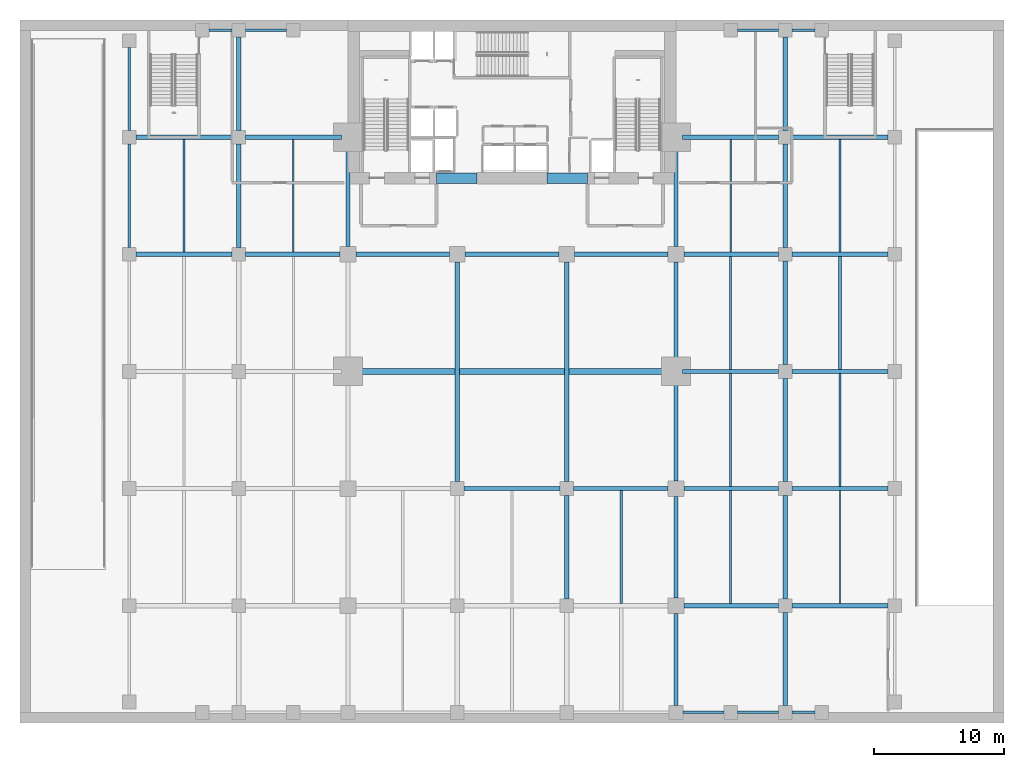
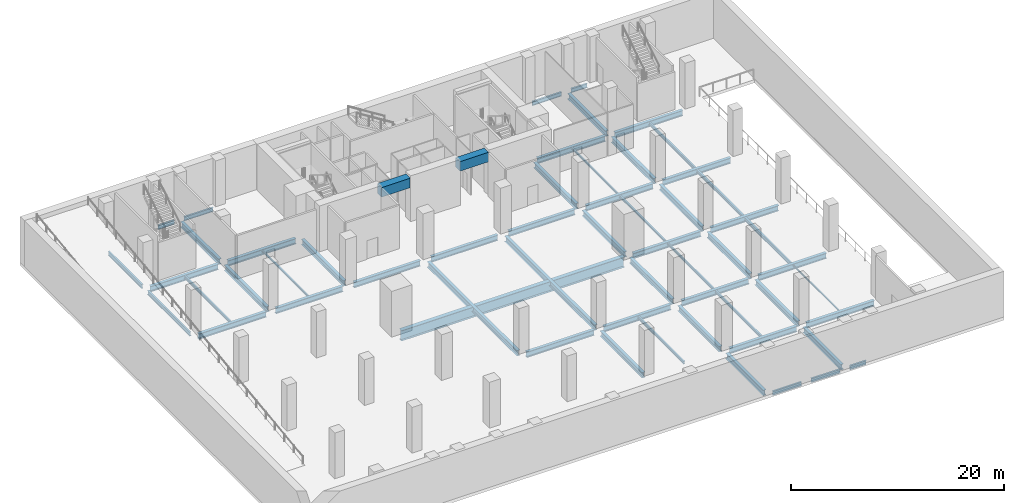
# One storey, part 2 of 10: 59 beams.
"""IFC4 building model written with IfcOpenShell, lengths in metres."""

from ifc_helpers import new_model, si_unit, direction, frame, origin, origin_2d, place, context, subcontext, project, spatial, rectangle, i_section, extrude, material, material_profile, profile_set, type_object, element, save


model = new_model("IFC4")

# Units and contexts
model_context = context("Model", 3, precision=1e-05, world=origin(), true_north=direction((0.0, 1.0)))
body_context = subcontext(model_context, "Body", "Model", "MODEL_VIEW")
ifc_project = project(units=[si_unit("LENGTHUNIT", "METRE"), si_unit("AREAUNIT", "SQUARE_METRE"), si_unit("VOLUMEUNIT", "CUBIC_METRE"), si_unit("PLANEANGLEUNIT", "RADIAN"), si_unit("MASSUNIT", "GRAM", prefix="KILO")], contexts=[model_context])

# Site, building, storey
site_placement = place(None, origin())
site = spatial("IfcSite", under=ifc_project, at=site_placement, CompositionType="ELEMENT")
building_placement = place(site_placement, origin())
building = spatial("IfcBuilding", under=site, at=building_placement, Name="Maruvema Waterfront Hotel and Observation Tower", CompositionType="ELEMENT")
storey_placement = place(building_placement, frame((0.0, 0.0, -5.25)))
storey = spatial("IfcBuildingStorey", under=building, at=storey_placement, Name="B01", CompositionType="ELEMENT", Elevation=-5.25)

# Beams
ifc_material_1 = material(Name="Concrete C60/75", Category="concrete")
ifc_material_profile_1 = material_profile(ifc_material_1, rectangle(XDim=0.800048828125, YDim=1.10009765625, at=origin_2d()), Name="CB800x1100")
ifc_profile_set_1 = profile_set([ifc_material_profile_1], Name="Concrete C60/75")
beam_type_1 = type_object("IfcBeamType", Name="Core Coupling Lintel Beam CB800x1100", PredefinedType="LINTEL", material=ifc_profile_set_1)
for number, where, z_axis, x_axis, name in (
    (1, (32.0, 41.85009765625, 4.419921875), (1.0, 0.0, 0.0), (0.0, 1.0, 0.0), "B01 Core Coupling Lintel Beam West"),
    (2, (40.5, 41.85009765625, 4.419921875), (1.0, 0.0, 0.0), (0.0, 1.0, 0.0), "B01 Core Coupling Lintel Beam East"),
):
    element("IfcBeam", number, at=place(storey_placement, frame(where, z_axis=z_axis, x_axis=x_axis)), inside=storey, type_object=beam_type_1, Name=name, PredefinedType="LINTEL", context=body_context, shape_type="SweptSolid", body=[
        extrude(rectangle(XDim=0.800048828125, YDim=1.10009765625, at=origin_2d()), origin(), (0.0, 0.0, 1.0), 3.10009765625),
    ])
ifc_material_2 = material(Name="Steel ASTM A572 Grade 50", Category="steel")
ifc_material_profile_2 = material_profile(ifc_material_2, i_section(OverallWidth=0.18994140625, OverallDepth=0.45703125, WebThickness=0.009033203125, FlangeThickness=0.014404296875, FilletRadius=0.014892578125, at=origin_2d()), Name="W460x74.0")
ifc_profile_set_2 = profile_set([ifc_material_profile_2], Name="Steel ASTM A572 Grade 50")
beam_type_2 = type_object("IfcBeamType", Name="Perimeter Spandrel Beam W460x74.0", PredefinedType="SPANDREL", material=ifc_profile_set_2)
for number, where, z_axis, x_axis, name in (
    (3, (50.925048828125, 0.800048828125, -0.57861328125), (1.0, 0.0, 0.0), (0.0, 1.0, 0.0), "B01 Floor Girder EW-07"),
    (4, (55.125, 0.800048828125, -0.57861328125), (1.0, 0.0, 0.0), (0.0, 1.0, 0.0), "B01 Floor Girder EW-08"),
):
    element("IfcBeam", number, at=place(storey_placement, frame(where, z_axis=z_axis, x_axis=x_axis)), inside=storey, type_object=beam_type_2, Name=name, PredefinedType="SPANDREL", context=body_context, shape_type="SweptSolid", body=[
        extrude(i_section(OverallWidth=0.18994140625, OverallDepth=0.45703125, WebThickness=0.009033203125, FlangeThickness=0.014404296875, FilletRadius=0.014892578125, at=origin_2d()), origin(), (0.0, 0.0, 1.0), 3.14990234375),
    ])
for number, where, z_axis, x_axis, name in (
    (5, (59.324951171875, 0.800048828125, -0.57861328125), (1.0, 0.0, 0.0), (0.0, 1.0, 0.0), "B01 Floor Girder EW-09"),
    (6, (14.52490234375, 53.199951171875, -0.57861328125), (1.0, 0.0, 0.0), (0.0, 1.0, 0.0), "B01 Floor Girder EW-40"),
):
    element("IfcBeam", number, at=place(storey_placement, frame(where, z_axis=z_axis, x_axis=x_axis)), inside=storey, type_object=beam_type_2, Name=name, PredefinedType="SPANDREL", context=body_context, shape_type="SweptSolid", body=[
        extrude(i_section(OverallWidth=0.18994140625, OverallDepth=0.45703125, WebThickness=0.009033203125, FlangeThickness=0.014404296875, FilletRadius=0.014892578125, at=origin_2d()), origin(), (0.0, 0.0, 1.0), 1.75),
    ])
beam_1_placement = place(storey_placement, frame((17.324951171875, 53.199951171875, -0.57861328125), z_axis=(1.0, 0.0, 0.0), x_axis=(0.0, 1.0, 0.0)))
element("IfcBeam", 7, at=beam_1_placement, inside=storey, type_object=beam_type_2, Name="B01 Floor Girder EW-41", PredefinedType="SPANDREL", context=body_context, shape_type="SweptSolid", body=[
    extrude(i_section(OverallWidth=0.18994140625, OverallDepth=0.45703125, WebThickness=0.009033203125, FlangeThickness=0.014404296875, FilletRadius=0.014892578125, at=origin_2d()), origin(), (0.0, 0.0, 1.0), 3.150146484375),
])
beam_2_placement = place(storey_placement, frame((55.125, 53.199951171875, -0.57861328125), z_axis=(1.0, 0.0, 0.0), x_axis=(0.0, 1.0, 0.0)))
element("IfcBeam", 8, at=beam_2_placement, inside=storey, type_object=beam_type_2, Name="B01 Floor Girder EW-42", PredefinedType="SPANDREL", context=body_context, shape_type="SweptSolid", body=[
    extrude(i_section(OverallWidth=0.18994140625, OverallDepth=0.45703125, WebThickness=0.009033203125, FlangeThickness=0.014404296875, FilletRadius=0.014892578125, at=origin_2d()), origin(), (0.0, 0.0, 1.0), 3.14990234375),
])
beam_3_placement = place(storey_placement, frame((59.324951171875, 53.199951171875, -0.57861328125), z_axis=(1.0, 0.0, 0.0), x_axis=(0.0, 1.0, 0.0)))
element("IfcBeam", 9, at=beam_3_placement, inside=storey, type_object=beam_type_2, Name="B01 Floor Girder EW-43", PredefinedType="SPANDREL", context=body_context, shape_type="SweptSolid", body=[
    extrude(i_section(OverallWidth=0.18994140625, OverallDepth=0.45703125, WebThickness=0.009033203125, FlangeThickness=0.014404296875, FilletRadius=0.014892578125, at=origin_2d()), origin(), (0.0, 0.0, 1.0), 1.75),
])
beam_4_placement = place(storey_placement, frame((8.39990234375, 36.52490234375, -0.57861328125), z_axis=(0.0, 1.0, 0.0), x_axis=(-1.0, 0.0, 0.0)))
element("IfcBeam", 10, at=beam_4_placement, inside=storey, type_object=beam_type_2, Name="B01 Floor Girder NS-05", PredefinedType="SPANDREL", context=body_context, shape_type="SweptSolid", body=[
    extrude(i_section(OverallWidth=0.18994140625, OverallDepth=0.45703125, WebThickness=0.009033203125, FlangeThickness=0.014404296875, FilletRadius=0.014892578125, at=origin_2d()), origin(), (0.0, 0.0, 1.0), 7.9501953125),
])
beam_5_placement = place(storey_placement, frame((8.39990234375, 45.52490234375, -0.57861328125), z_axis=(0.0, 1.0, 0.0), x_axis=(-1.0, 0.0, 0.0)))
element("IfcBeam", 11, at=beam_5_placement, inside=storey, type_object=beam_type_2, Name="B01 Floor Girder NS-06", PredefinedType="SPANDREL", context=body_context, shape_type="SweptSolid", body=[
    extrude(i_section(OverallWidth=0.18994140625, OverallDepth=0.45703125, WebThickness=0.009033203125, FlangeThickness=0.014404296875, FilletRadius=0.014892578125, at=origin_2d()), origin(), (0.0, 0.0, 1.0), 6.35009765625),
])
ifc_material_3 = material(Name="Steel ASTM A572 Grade 50", Category="steel")
ifc_material_profile_3 = material_profile(ifc_material_3, i_section(OverallWidth=0.3291015625, OverallDepth=0.635009765625, WebThickness=0.017822265625, FlangeThickness=0.031005859375, FilletRadius=0.01806640625, at=origin_2d()), Name="W610x241.0")
ifc_profile_set_3 = profile_set([ifc_material_profile_3], Name="Steel ASTM A572 Grade 50")
beam_type_3 = type_object("IfcBeamType", Name="Primary Floor Girder W610x241.0", PredefinedType="BEAM", material=ifc_profile_set_3)
beam_6_placement = place(storey_placement, frame((51.0, 9.0, -0.66748046875), z_axis=(1.0, 0.0, 0.0), x_axis=(0.0, 1.0, 0.0)))
element("IfcBeam", 12, at=beam_6_placement, inside=storey, type_object=beam_type_3, Name="B01 Floor Girder EW-15", PredefinedType="BEAM", context=body_context, shape_type="SweptSolid", body=[
    extrude(i_section(OverallWidth=0.3291015625, OverallDepth=0.635009765625, WebThickness=0.017822265625, FlangeThickness=0.031005859375, FilletRadius=0.01806640625, at=origin_2d()), origin(), (0.0, 0.0, 1.0), 7.27490234375),
])
for number, where, z_axis, x_axis, name in (
    (13, (59.324951171875, 9.0, -0.66748046875), (1.0, 0.0, 0.0), (0.0, 1.0, 0.0), "B01 Floor Girder EW-16"),
    (14, (34.125, 18.0, -0.66748046875), (1.0, 0.0, 0.0), (0.0, 1.0, 0.0), "B01 Floor Girder EW-20"),
):
    element("IfcBeam", number, at=place(storey_placement, frame(where, z_axis=z_axis, x_axis=x_axis)), inside=storey, type_object=beam_type_3, Name=name, PredefinedType="BEAM", context=body_context, shape_type="SweptSolid", body=[
        extrude(i_section(OverallWidth=0.3291015625, OverallDepth=0.635009765625, WebThickness=0.017822265625, FlangeThickness=0.031005859375, FilletRadius=0.01806640625, at=origin_2d()), origin(), (0.0, 0.0, 1.0), 7.35009765625),
    ])
beam_7_placement = place(storey_placement, frame((42.52490234375, 18.0, -0.66748046875), z_axis=(1.0, 0.0, 0.0), x_axis=(0.0, 1.0, 0.0)))
element("IfcBeam", 15, at=beam_7_placement, inside=storey, type_object=beam_type_3, Name="B01 Floor Girder EW-21", PredefinedType="BEAM", context=body_context, shape_type="SweptSolid", body=[
    extrude(i_section(OverallWidth=0.3291015625, OverallDepth=0.635009765625, WebThickness=0.017822265625, FlangeThickness=0.031005859375, FilletRadius=0.01806640625, at=origin_2d()), origin(), (0.0, 0.0, 1.0), 7.275146484375),
])
beam_8_placement = place(storey_placement, frame((51.0, 18.0, -0.66748046875), z_axis=(1.0, 0.0, 0.0), x_axis=(0.0, 1.0, 0.0)))
element("IfcBeam", 16, at=beam_8_placement, inside=storey, type_object=beam_type_3, Name="B01 Floor Girder EW-22", PredefinedType="BEAM", context=body_context, shape_type="SweptSolid", body=[
    extrude(i_section(OverallWidth=0.3291015625, OverallDepth=0.635009765625, WebThickness=0.017822265625, FlangeThickness=0.031005859375, FilletRadius=0.01806640625, at=origin_2d()), origin(), (0.0, 0.0, 1.0), 7.27490234375),
])
beam_9_placement = place(storey_placement, frame((59.324951171875, 18.0, -0.66748046875), z_axis=(1.0, 0.0, 0.0), x_axis=(0.0, 1.0, 0.0)))
element("IfcBeam", 17, at=beam_9_placement, inside=storey, type_object=beam_type_3, Name="B01 Floor Girder EW-23", PredefinedType="BEAM", context=body_context, shape_type="SweptSolid", body=[
    extrude(i_section(OverallWidth=0.3291015625, OverallDepth=0.635009765625, WebThickness=0.017822265625, FlangeThickness=0.031005859375, FilletRadius=0.01806640625, at=origin_2d()), origin(), (0.0, 0.0, 1.0), 7.35009765625),
])
beam_10_placement = place(storey_placement, frame((50.89990234375, 27.0, -0.66748046875), z_axis=(1.0, 0.0, 0.0), x_axis=(0.0, 1.0, 0.0)))
element("IfcBeam", 18, at=beam_10_placement, inside=storey, type_object=beam_type_3, Name="B01 Floor Girder EW-27", PredefinedType="BEAM", context=body_context, shape_type="SweptSolid", body=[
    extrude(i_section(OverallWidth=0.3291015625, OverallDepth=0.635009765625, WebThickness=0.017822265625, FlangeThickness=0.031005859375, FilletRadius=0.01806640625, at=origin_2d()), origin(), (0.0, 0.0, 1.0), 7.375),
])
beam_11_placement = place(storey_placement, frame((59.324951171875, 27.0, -0.66748046875), z_axis=(1.0, 0.0, 0.0), x_axis=(0.0, 1.0, 0.0)))
element("IfcBeam", 19, at=beam_11_placement, inside=storey, type_object=beam_type_3, Name="B01 Floor Girder EW-28", PredefinedType="BEAM", context=body_context, shape_type="SweptSolid", body=[
    extrude(i_section(OverallWidth=0.3291015625, OverallDepth=0.635009765625, WebThickness=0.017822265625, FlangeThickness=0.031005859375, FilletRadius=0.01806640625, at=origin_2d()), origin(), (0.0, 0.0, 1.0), 7.35009765625),
])
beam_12_placement = place(storey_placement, frame((8.925048828125, 36.0, -0.66748046875), z_axis=(1.0, 0.0, 0.0), x_axis=(0.0, 1.0, 0.0)))
element("IfcBeam", 20, at=beam_12_placement, inside=storey, type_object=beam_type_3, Name="B01 Floor Girder EW-29", PredefinedType="BEAM", context=body_context, shape_type="SweptSolid", body=[
    extrude(i_section(OverallWidth=0.3291015625, OverallDepth=0.635009765625, WebThickness=0.017822265625, FlangeThickness=0.031005859375, FilletRadius=0.01806640625, at=origin_2d()), origin(), (0.0, 0.0, 1.0), 7.349853515625),
])
beam_13_placement = place(storey_placement, frame((17.324951171875, 36.0, -0.66748046875), z_axis=(1.0, 0.0, 0.0), x_axis=(0.0, 1.0, 0.0)))
element("IfcBeam", 21, at=beam_13_placement, inside=storey, type_object=beam_type_3, Name="B01 Floor Girder EW-30", PredefinedType="BEAM", context=body_context, shape_type="SweptSolid", body=[
    extrude(i_section(OverallWidth=0.3291015625, OverallDepth=0.635009765625, WebThickness=0.017822265625, FlangeThickness=0.031005859375, FilletRadius=0.01806640625, at=origin_2d()), origin(), (0.0, 0.0, 1.0), 7.275146484375),
])
for number, where, z_axis, x_axis, name in (
    (22, (25.800048828125, 36.0, -0.66748046875), (1.0, 0.0, 0.0), (0.0, 1.0, 0.0), "B01 Floor Girder EW-31"),
    (23, (34.199951171875, 36.0, -0.66748046875), (1.0, 0.0, 0.0), (0.0, 1.0, 0.0), "B01 Floor Girder EW-32"),
    (24, (42.60009765625, 36.0, -0.66748046875), (1.0, 0.0, 0.0), (0.0, 1.0, 0.0), "B01 Floor Girder EW-33"),
):
    element("IfcBeam", number, at=place(storey_placement, frame(where, z_axis=z_axis, x_axis=x_axis)), inside=storey, type_object=beam_type_3, Name=name, PredefinedType="BEAM", context=body_context, shape_type="SweptSolid", body=[
        extrude(i_section(OverallWidth=0.3291015625, OverallDepth=0.635009765625, WebThickness=0.017822265625, FlangeThickness=0.031005859375, FilletRadius=0.01806640625, at=origin_2d()), origin(), (0.0, 0.0, 1.0), 7.199951171875),
    ])
beam_14_placement = place(storey_placement, frame((51.0, 36.0, -0.66748046875), z_axis=(1.0, 0.0, 0.0), x_axis=(0.0, 1.0, 0.0)))
element("IfcBeam", 25, at=beam_14_placement, inside=storey, type_object=beam_type_3, Name="B01 Floor Girder EW-34", PredefinedType="BEAM", context=body_context, shape_type="SweptSolid", body=[
    extrude(i_section(OverallWidth=0.3291015625, OverallDepth=0.635009765625, WebThickness=0.017822265625, FlangeThickness=0.031005859375, FilletRadius=0.01806640625, at=origin_2d()), origin(), (0.0, 0.0, 1.0), 7.27490234375),
])
beam_15_placement = place(storey_placement, frame((59.324951171875, 36.0, -0.66748046875), z_axis=(1.0, 0.0, 0.0), x_axis=(0.0, 1.0, 0.0)))
element("IfcBeam", 26, at=beam_15_placement, inside=storey, type_object=beam_type_3, Name="B01 Floor Girder EW-35", PredefinedType="BEAM", context=body_context, shape_type="SweptSolid", body=[
    extrude(i_section(OverallWidth=0.3291015625, OverallDepth=0.635009765625, WebThickness=0.017822265625, FlangeThickness=0.031005859375, FilletRadius=0.01806640625, at=origin_2d()), origin(), (0.0, 0.0, 1.0), 7.35009765625),
])
beam_16_placement = place(storey_placement, frame((8.925048828125, 45.0, -0.66748046875), z_axis=(1.0, 0.0, 0.0), x_axis=(0.0, 1.0, 0.0)))
element("IfcBeam", 27, at=beam_16_placement, inside=storey, type_object=beam_type_3, Name="B01 Floor Girder EW-36", PredefinedType="BEAM", context=body_context, shape_type="SweptSolid", body=[
    extrude(i_section(OverallWidth=0.3291015625, OverallDepth=0.635009765625, WebThickness=0.017822265625, FlangeThickness=0.031005859375, FilletRadius=0.01806640625, at=origin_2d()), origin(), (0.0, 0.0, 1.0), 7.349853515625),
])
for number, where, z_axis, x_axis, name in (
    (28, (17.324951171875, 45.0, -0.66748046875), (1.0, 0.0, 0.0), (0.0, 1.0, 0.0), "B01 Floor Girder EW-37"),
    (29, (50.89990234375, 45.0, -0.66748046875), (1.0, 0.0, 0.0), (0.0, 1.0, 0.0), "B01 Floor Girder EW-38"),
):
    element("IfcBeam", number, at=place(storey_placement, frame(where, z_axis=z_axis, x_axis=x_axis)), inside=storey, type_object=beam_type_3, Name=name, PredefinedType="BEAM", context=body_context, shape_type="SweptSolid", body=[
        extrude(i_section(OverallWidth=0.3291015625, OverallDepth=0.635009765625, WebThickness=0.017822265625, FlangeThickness=0.031005859375, FilletRadius=0.01806640625, at=origin_2d()), origin(), (0.0, 0.0, 1.0), 7.375),
    ])
beam_17_placement = place(storey_placement, frame((59.324951171875, 45.0, -0.66748046875), z_axis=(1.0, 0.0, 0.0), x_axis=(0.0, 1.0, 0.0)))
element("IfcBeam", 30, at=beam_17_placement, inside=storey, type_object=beam_type_3, Name="B01 Floor Girder EW-39", PredefinedType="BEAM", context=body_context, shape_type="SweptSolid", body=[
    extrude(i_section(OverallWidth=0.3291015625, OverallDepth=0.635009765625, WebThickness=0.017822265625, FlangeThickness=0.031005859375, FilletRadius=0.01806640625, at=origin_2d()), origin(), (0.0, 0.0, 1.0), 7.35009765625),
])
beam_18_placement = place(storey_placement, frame((16.800048828125, 36.52490234375, -0.66748046875), z_axis=(0.0, 1.0, 0.0), x_axis=(-1.0, 0.0, 0.0)))
element("IfcBeam", 31, at=beam_18_placement, inside=storey, type_object=beam_type_3, Name="B01 Floor Girder NS-11", PredefinedType="BEAM", context=body_context, shape_type="SweptSolid", body=[
    extrude(i_section(OverallWidth=0.3291015625, OverallDepth=0.635009765625, WebThickness=0.017822265625, FlangeThickness=0.031005859375, FilletRadius=0.01806640625, at=origin_2d()), origin(), (0.0, 0.0, 1.0), 7.9501953125),
])
beam_19_placement = place(storey_placement, frame((16.800048828125, 45.52490234375, -0.66748046875), z_axis=(0.0, 1.0, 0.0), x_axis=(-1.0, 0.0, 0.0)))
element("IfcBeam", 32, at=beam_19_placement, inside=storey, type_object=beam_type_3, Name="B01 Floor Girder NS-12", PredefinedType="BEAM", context=body_context, shape_type="SweptSolid", body=[
    extrude(i_section(OverallWidth=0.3291015625, OverallDepth=0.635009765625, WebThickness=0.017822265625, FlangeThickness=0.031005859375, FilletRadius=0.01806640625, at=origin_2d()), origin(), (0.0, 0.0, 1.0), 7.150146484375),
])
beam_20_placement = place(storey_placement, frame((25.199951171875, 36.60009765625, -0.66748046875), z_axis=(0.0, 1.0, 0.0), x_axis=(-1.0, 0.0, 0.0)))
element("IfcBeam", 33, at=beam_20_placement, inside=storey, type_object=beam_type_3, Name="B01 Floor Girder NS-17", PredefinedType="BEAM", context=body_context, shape_type="SweptSolid", body=[
    extrude(i_section(OverallWidth=0.3291015625, OverallDepth=0.635009765625, WebThickness=0.017822265625, FlangeThickness=0.031005859375, FilletRadius=0.01806640625, at=origin_2d()), origin(), (0.0, 0.0, 1.0), 7.89990234375),
])
beam_21_placement = place(storey_placement, frame((33.60009765625, 18.52490234375, -0.66748046875), z_axis=(0.0, 1.0, 0.0), x_axis=(-1.0, 0.0, 0.0)))
element("IfcBeam", 34, at=beam_21_placement, inside=storey, type_object=beam_type_3, Name="B01 Floor Girder NS-20", PredefinedType="BEAM", context=body_context, shape_type="SweptSolid", body=[
    extrude(i_section(OverallWidth=0.3291015625, OverallDepth=0.635009765625, WebThickness=0.017822265625, FlangeThickness=0.031005859375, FilletRadius=0.01806640625, at=origin_2d()), origin(), (0.0, 0.0, 1.0), 16.875),
])
beam_22_placement = place(storey_placement, frame((42.0, 9.52490234375, -0.66748046875), z_axis=(0.0, 1.0, 0.0), x_axis=(-1.0, 0.0, 0.0)))
element("IfcBeam", 35, at=beam_22_placement, inside=storey, type_object=beam_type_3, Name="B01 Floor Girder NS-22", PredefinedType="BEAM", context=body_context, shape_type="SweptSolid", body=[
    extrude(i_section(OverallWidth=0.3291015625, OverallDepth=0.635009765625, WebThickness=0.017822265625, FlangeThickness=0.031005859375, FilletRadius=0.01806640625, at=origin_2d()), origin(), (0.0, 0.0, 1.0), 7.9501953125),
])
beam_23_placement = place(storey_placement, frame((42.0, 18.52490234375, -0.66748046875), z_axis=(0.0, 1.0, 0.0), x_axis=(-1.0, 0.0, 0.0)))
element("IfcBeam", 36, at=beam_23_placement, inside=storey, type_object=beam_type_3, Name="B01 Floor Girder NS-23", PredefinedType="BEAM", context=body_context, shape_type="SweptSolid", body=[
    extrude(i_section(OverallWidth=0.3291015625, OverallDepth=0.635009765625, WebThickness=0.017822265625, FlangeThickness=0.031005859375, FilletRadius=0.01806640625, at=origin_2d()), origin(), (0.0, 0.0, 1.0), 16.875),
])
beam_24_placement = place(storey_placement, frame((50.39990234375, 1.324951171875, -0.66748046875), z_axis=(0.0, 1.0, 0.0), x_axis=(-1.0, 0.0, 0.0)))
element("IfcBeam", 37, at=beam_24_placement, inside=storey, type_object=beam_type_3, Name="B01 Floor Girder NS-24", PredefinedType="BEAM", context=body_context, shape_type="SweptSolid", body=[
    extrude(i_section(OverallWidth=0.3291015625, OverallDepth=0.635009765625, WebThickness=0.017822265625, FlangeThickness=0.031005859375, FilletRadius=0.01806640625, at=origin_2d()), origin(), (0.0, 0.0, 1.0), 7.074951171875),
])
beam_25_placement = place(storey_placement, frame((50.39990234375, 9.60009765625, -0.66748046875), z_axis=(0.0, 1.0, 0.0), x_axis=(-1.0, 0.0, 0.0)))
element("IfcBeam", 38, at=beam_25_placement, inside=storey, type_object=beam_type_3, Name="B01 Floor Girder NS-25", PredefinedType="BEAM", context=body_context, shape_type="SweptSolid", body=[
    extrude(i_section(OverallWidth=0.3291015625, OverallDepth=0.635009765625, WebThickness=0.017822265625, FlangeThickness=0.031005859375, FilletRadius=0.01806640625, at=origin_2d()), origin(), (0.0, 0.0, 1.0), 7.7998046875),
])
for number, where, z_axis, x_axis, name in (
    (39, (50.39990234375, 18.60009765625, -0.66748046875), (0.0, 1.0, 0.0), (-1.0, 0.0, 0.0), "B01 Floor Girder NS-26"),
    (40, (50.39990234375, 27.5, -0.66748046875), (0.0, 1.0, 0.0), (-1.0, 0.0, 0.0), "B01 Floor Girder NS-27"),
    (41, (50.39990234375, 36.60009765625, -0.66748046875), (0.0, 1.0, 0.0), (-1.0, 0.0, 0.0), "B01 Floor Girder NS-28"),
):
    element("IfcBeam", number, at=place(storey_placement, frame(where, z_axis=z_axis, x_axis=x_axis)), inside=storey, type_object=beam_type_3, Name=name, PredefinedType="BEAM", context=body_context, shape_type="SweptSolid", body=[
        extrude(i_section(OverallWidth=0.3291015625, OverallDepth=0.635009765625, WebThickness=0.017822265625, FlangeThickness=0.031005859375, FilletRadius=0.01806640625, at=origin_2d()), origin(), (0.0, 0.0, 1.0), 7.89990234375),
    ])
beam_26_placement = place(storey_placement, frame((58.800048828125, 1.324951171875, -0.66748046875), z_axis=(0.0, 1.0, 0.0), x_axis=(-1.0, 0.0, 0.0)))
element("IfcBeam", 42, at=beam_26_placement, inside=storey, type_object=beam_type_3, Name="B01 Floor Girder NS-29", PredefinedType="BEAM", context=body_context, shape_type="SweptSolid", body=[
    extrude(i_section(OverallWidth=0.3291015625, OverallDepth=0.635009765625, WebThickness=0.017822265625, FlangeThickness=0.031005859375, FilletRadius=0.01806640625, at=origin_2d()), origin(), (0.0, 0.0, 1.0), 7.150146484375),
])
for number, where, z_axis, x_axis, name in (
    (43, (58.800048828125, 9.52490234375, -0.66748046875), (0.0, 1.0, 0.0), (-1.0, 0.0, 0.0), "B01 Floor Girder NS-30"),
    (44, (58.800048828125, 18.52490234375, -0.66748046875), (0.0, 1.0, 0.0), (-1.0, 0.0, 0.0), "B01 Floor Girder NS-31"),
    (45, (58.800048828125, 27.52490234375, -0.66748046875), (0.0, 1.0, 0.0), (-1.0, 0.0, 0.0), "B01 Floor Girder NS-32"),
    (46, (58.800048828125, 36.52490234375, -0.66748046875), (0.0, 1.0, 0.0), (-1.0, 0.0, 0.0), "B01 Floor Girder NS-33"),
):
    element("IfcBeam", number, at=place(storey_placement, frame(where, z_axis=z_axis, x_axis=x_axis)), inside=storey, type_object=beam_type_3, Name=name, PredefinedType="BEAM", context=body_context, shape_type="SweptSolid", body=[
        extrude(i_section(OverallWidth=0.3291015625, OverallDepth=0.635009765625, WebThickness=0.017822265625, FlangeThickness=0.031005859375, FilletRadius=0.01806640625, at=origin_2d()), origin(), (0.0, 0.0, 1.0), 7.9501953125),
    ])
beam_27_placement = place(storey_placement, frame((58.800048828125, 45.52490234375, -0.66748046875), z_axis=(0.0, 1.0, 0.0), x_axis=(-1.0, 0.0, 0.0)))
element("IfcBeam", 47, at=beam_27_placement, inside=storey, type_object=beam_type_3, Name="B01 Floor Girder NS-34", PredefinedType="BEAM", context=body_context, shape_type="SweptSolid", body=[
    extrude(i_section(OverallWidth=0.3291015625, OverallDepth=0.635009765625, WebThickness=0.017822265625, FlangeThickness=0.031005859375, FilletRadius=0.01806640625, at=origin_2d()), origin(), (0.0, 0.0, 1.0), 7.150146484375),
])
ifc_material_4 = material(Name="Steel ASTM A572 Grade 50", Category="steel")
ifc_material_profile_4 = material_profile(ifc_material_4, i_section(OverallWidth=0.10009765625, OverallDepth=0.153076171875, WebThickness=0.005859375, FlangeThickness=0.007080078125, FilletRadius=0.008056640625, at=origin_2d()), Name="W150x18.0")
ifc_profile_set_4 = profile_set([ifc_material_profile_4], Name="Steel ASTM A572 Grade 50")
beam_type_4 = type_object("IfcBeamType", Name="Secondary Floor Joist W150x18.0", PredefinedType="JOIST", material=ifc_profile_set_4)
beam_28_placement = place(storey_placement, frame((63.0, 9.16455078125, -0.426513671875), z_axis=(0.0, 1.0, 0.0), x_axis=(-1.0, 0.0, 0.0)))
element("IfcBeam", 48, at=beam_28_placement, inside=storey, type_object=beam_type_4, Name="B01 Secondary Floor Joist JS-19", PredefinedType="JOIST", context=body_context, shape_type="SweptSolid", body=[
    extrude(i_section(OverallWidth=0.10009765625, OverallDepth=0.153076171875, WebThickness=0.005859375, FlangeThickness=0.007080078125, FilletRadius=0.008056640625, at=origin_2d()), origin(), (0.0, 0.0, 1.0), 8.6708984375),
])
ifc_material_5 = material(Name="Steel ASTM A572 Grade 50", Category="steel")
ifc_material_profile_5 = material_profile(ifc_material_5, i_section(OverallWidth=0.133056640625, OverallDepth=0.20703125, WebThickness=0.005859375, FlangeThickness=0.00830078125, FilletRadius=0.010009765625, at=origin_2d()), Name="W200x26.6")
ifc_profile_set_5 = profile_set([ifc_material_profile_5], Name="Steel ASTM A572 Grade 50")
beam_type_5 = type_object("IfcBeamType", Name="Secondary Floor Joist W200x26.6", PredefinedType="JOIST", material=ifc_profile_set_5)
for number, where, z_axis, x_axis, name in (
    (49, (21.0, 36.16455078125, -0.45361328125), (0.0, 1.0, 0.0), (-1.0, 0.0, 0.0), "B01 Secondary Floor Joist JS-08"),
    (50, (54.60009765625, 36.16455078125, -0.45361328125), (0.0, 1.0, 0.0), (-1.0, 0.0, 0.0), "B01 Secondary Floor Joist JS-18"),
):
    element("IfcBeam", number, at=place(storey_placement, frame(where, z_axis=z_axis, x_axis=x_axis)), inside=storey, type_object=beam_type_5, Name=name, PredefinedType="JOIST", context=body_context, shape_type="SweptSolid", body=[
        extrude(i_section(OverallWidth=0.133056640625, OverallDepth=0.20703125, WebThickness=0.005859375, FlangeThickness=0.00830078125, FilletRadius=0.010009765625, at=origin_2d()), origin(), (0.0, 0.0, 1.0), 8.6708984375),
    ])
ifc_material_6 = material(Name="Steel ASTM A572 Grade 50", Category="steel")
ifc_material_profile_6 = material_profile(ifc_material_6, i_section(OverallWidth=0.14599609375, OverallDepth=0.258056640625, WebThickness=0.006103515625, FlangeThickness=0.009033203125, FilletRadius=0.012939453125, at=origin_2d()), Name="W250x32.7")
ifc_profile_set_6 = profile_set([ifc_material_profile_6], Name="Steel ASTM A572 Grade 50")
beam_type_6 = type_object("IfcBeamType", Name="Secondary Floor Joist W250x32.7", PredefinedType="JOIST", material=ifc_profile_set_6)
beam_29_placement = place(storey_placement, frame((54.60009765625, 27.16455078125, -0.47900390625), z_axis=(0.0, 1.0, 0.0), x_axis=(-1.0, 0.0, 0.0)))
element("IfcBeam", 51, at=beam_29_placement, inside=storey, type_object=beam_type_6, Name="B01 Secondary Floor Joist JS-17", PredefinedType="JOIST", context=body_context, shape_type="SweptSolid", body=[
    extrude(i_section(OverallWidth=0.14599609375, OverallDepth=0.258056640625, WebThickness=0.006103515625, FlangeThickness=0.009033203125, FilletRadius=0.012939453125, at=origin_2d()), origin(), (0.0, 0.0, 1.0), 8.6708984375),
])
ifc_material_7 = material(Name="Steel ASTM A572 Grade 50", Category="steel")
ifc_material_profile_7 = material_profile(ifc_material_7, i_section(OverallWidth=0.14794921875, OverallDepth=0.26611328125, WebThickness=0.007568359375, FlangeThickness=0.012939453125, FilletRadius=0.012939453125, at=origin_2d()), Name="W250x44.8")
ifc_profile_set_7 = profile_set([ifc_material_profile_7], Name="Steel ASTM A572 Grade 50")
beam_type_7 = type_object("IfcBeamType", Name="Secondary Floor Joist W250x44.8", PredefinedType="JOIST", material=ifc_profile_set_7)
beam_30_placement = place(storey_placement, frame((54.60009765625, 18.16455078125, -0.48291015625), z_axis=(0.0, 1.0, 0.0), x_axis=(-1.0, 0.0, 0.0)))
element("IfcBeam", 52, at=beam_30_placement, inside=storey, type_object=beam_type_7, Name="B01 Secondary Floor Joist JS-16", PredefinedType="JOIST", context=body_context, shape_type="SweptSolid", body=[
    extrude(i_section(OverallWidth=0.14794921875, OverallDepth=0.26611328125, WebThickness=0.007568359375, FlangeThickness=0.012939453125, FilletRadius=0.012939453125, at=origin_2d()), origin(), (0.0, 0.0, 1.0), 8.6708984375),
])
ifc_material_8 = material(Name="Steel ASTM A572 Grade 50", Category="steel")
ifc_material_profile_8 = material_profile(ifc_material_8, i_section(OverallWidth=0.1650390625, OverallDepth=0.31005859375, WebThickness=0.005859375, FlangeThickness=0.009765625, FilletRadius=0.012939453125, at=origin_2d()), Name="W310x38.7")
ifc_profile_set_8 = profile_set([ifc_material_profile_8], Name="Steel ASTM A572 Grade 50")
beam_type_8 = type_object("IfcBeamType", Name="Secondary Floor Joist W310x38.7", PredefinedType="JOIST", material=ifc_profile_set_8)
beam_31_placement = place(storey_placement, frame((54.60009765625, 9.16455078125, -0.5048828125), z_axis=(0.0, 1.0, 0.0), x_axis=(-1.0, 0.0, 0.0)))
element("IfcBeam", 53, at=beam_31_placement, inside=storey, type_object=beam_type_8, Name="B01 Secondary Floor Joist JS-15", PredefinedType="JOIST", context=body_context, shape_type="SweptSolid", body=[
    extrude(i_section(OverallWidth=0.1650390625, OverallDepth=0.31005859375, WebThickness=0.005859375, FlangeThickness=0.009765625, FilletRadius=0.012939453125, at=origin_2d()), origin(), (0.0, 0.0, 1.0), 8.6708984375),
])
ifc_material_9 = material(Name="Steel ASTM A572 Grade 50", Category="steel")
ifc_material_profile_9 = material_profile(ifc_material_9, i_section(OverallWidth=0.1669921875, OverallDepth=0.31689453125, WebThickness=0.007568359375, FlangeThickness=0.01318359375, FilletRadius=0.012939453125, at=origin_2d()), Name="W310x52.0")
ifc_profile_set_9 = profile_set([ifc_material_profile_9], Name="Steel ASTM A572 Grade 50")
beam_type_9 = type_object("IfcBeamType", Name="Secondary Floor Joist W310x52.0", PredefinedType="JOIST", material=ifc_profile_set_9)
for number, where, z_axis, x_axis, name in (
    (54, (12.60009765625, 36.16455078125, -0.508544921875), (0.0, 1.0, 0.0), (-1.0, 0.0, 0.0), "B01 Secondary Floor Joist JS-04"),
    (55, (46.199951171875, 9.16455078125, -0.508544921875), (0.0, 1.0, 0.0), (-1.0, 0.0, 0.0), "B01 Secondary Floor Joist JS-14"),
):
    element("IfcBeam", number, at=place(storey_placement, frame(where, z_axis=z_axis, x_axis=x_axis)), inside=storey, type_object=beam_type_9, Name=name, PredefinedType="JOIST", context=body_context, shape_type="SweptSolid", body=[
        extrude(i_section(OverallWidth=0.1669921875, OverallDepth=0.31689453125, WebThickness=0.007568359375, FlangeThickness=0.01318359375, FilletRadius=0.012939453125, at=origin_2d()), origin(), (0.0, 0.0, 1.0), 8.6708984375),
    ])
ifc_material_10 = material(Name="Steel ASTM A572 Grade 50", Category="steel")
ifc_material_profile_10 = material_profile(ifc_material_10, i_section(OverallWidth=0.1708984375, OverallDepth=0.35498046875, WebThickness=0.007080078125, FlangeThickness=0.01171875, FilletRadius=0.014892578125, at=origin_2d()), Name="W360x51.0")
ifc_profile_set_10 = profile_set([ifc_material_profile_10], Name="Steel ASTM A572 Grade 50")
beam_type_10 = type_object("IfcBeamType", Name="Secondary Floor Joist W360x51.0", PredefinedType="JOIST", material=ifc_profile_set_10)
beam_32_placement = place(storey_placement, frame((63.0, 36.16455078125, -0.527587890625), z_axis=(0.0, 1.0, 0.0), x_axis=(-1.0, 0.0, 0.0)))
element("IfcBeam", 56, at=beam_32_placement, inside=storey, type_object=beam_type_10, Name="B01 Secondary Floor Joist JS-22", PredefinedType="JOIST", context=body_context, shape_type="SweptSolid", body=[
    extrude(i_section(OverallWidth=0.1708984375, OverallDepth=0.35498046875, WebThickness=0.007080078125, FlangeThickness=0.01171875, FilletRadius=0.014892578125, at=origin_2d()), origin(), (0.0, 0.0, 1.0), 8.6708984375),
])
ifc_material_11 = material(Name="Steel ASTM A572 Grade 50", Category="steel")
ifc_material_profile_11 = material_profile(ifc_material_11, i_section(OverallWidth=0.202880859375, OverallDepth=0.346923828125, WebThickness=0.0078125, FlangeThickness=0.013427734375, FilletRadius=0.014892578125, at=origin_2d()), Name="W360x64.0")
ifc_profile_set_11 = profile_set([ifc_material_profile_11], Name="Steel ASTM A572 Grade 50")
beam_type_11 = type_object("IfcBeamType", Name="Secondary Floor Joist W360x64.0", PredefinedType="JOIST", material=ifc_profile_set_11)
beam_33_placement = place(storey_placement, frame((63.0, 27.16455078125, -0.5234375), z_axis=(0.0, 1.0, 0.0), x_axis=(-1.0, 0.0, 0.0)))
element("IfcBeam", 57, at=beam_33_placement, inside=storey, type_object=beam_type_11, Name="B01 Secondary Floor Joist JS-21", PredefinedType="JOIST", context=body_context, shape_type="SweptSolid", body=[
    extrude(i_section(OverallWidth=0.202880859375, OverallDepth=0.346923828125, WebThickness=0.0078125, FlangeThickness=0.013427734375, FilletRadius=0.014892578125, at=origin_2d()), origin(), (0.0, 0.0, 1.0), 8.6708984375),
])
ifc_material_12 = material(Name="Steel ASTM A572 Grade 50", Category="steel")
ifc_material_profile_12 = material_profile(ifc_material_12, i_section(OverallWidth=0.177001953125, OverallDepth=0.403076171875, WebThickness=0.007568359375, FlangeThickness=0.010986328125, FilletRadius=0.014892578125, at=origin_2d()), Name="W410x53.0")
ifc_profile_set_12 = profile_set([ifc_material_profile_12], Name="Steel ASTM A572 Grade 50")
beam_type_12 = type_object("IfcBeamType", Name="Secondary Floor Joist W410x53.0", PredefinedType="JOIST", material=ifc_profile_set_12)
beam_34_placement = place(storey_placement, frame((63.0, 18.16455078125, -0.551513671875), z_axis=(0.0, 1.0, 0.0), x_axis=(-1.0, 0.0, 0.0)))
element("IfcBeam", 58, at=beam_34_placement, inside=storey, type_object=beam_type_12, Name="B01 Secondary Floor Joist JS-20", PredefinedType="JOIST", context=body_context, shape_type="SweptSolid", body=[
    extrude(i_section(OverallWidth=0.177001953125, OverallDepth=0.403076171875, WebThickness=0.007568359375, FlangeThickness=0.010986328125, FilletRadius=0.014892578125, at=origin_2d()), origin(), (0.0, 0.0, 1.0), 8.6708984375),
])
ifc_material_13 = material(Name="Steel ABNT NBR 7007 AR 415 (ASTM A572 Grade 50)", Category="steel")
ifc_material_profile_13 = material_profile(ifc_material_13, i_section(OverallWidth=0.449951171875, OverallDepth=1.199951171875, WebThickness=0.01904296875, FlangeThickness=0.031982421875, at=origin_2d()), Name="VS1200x366")
ifc_profile_set_13 = profile_set([ifc_material_profile_13], Name="Steel ABNT NBR 7007 AR 415 (ASTM A572 Grade 50)")
beam_type_13 = type_object("IfcBeamType", Name="Upper Setback Transfer Girder VS1200x366", PredefinedType="USERDEFINED", material=ifc_profile_set_13)
beam_35_placement = place(storey_placement, frame((25.699951171875, 27.0, -0.949951171875), z_axis=(1.0, 0.0, 0.0), x_axis=(0.0, 1.0, 0.0)))
element("IfcBeam", 59, at=beam_35_placement, inside=storey, type_object=beam_type_13, Name="B01 Floor Girder EW-26", ObjectType="TRANSFER GIRDER", PredefinedType="USERDEFINED", context=body_context, shape_type="SweptSolid", body=[
    extrude(i_section(OverallWidth=0.449951171875, OverallDepth=1.199951171875, WebThickness=0.01904296875, FlangeThickness=0.031982421875, at=origin_2d()), origin(), (0.0, 0.0, 1.0), 24.199951171875),
])

save(model, "model.ifc")
